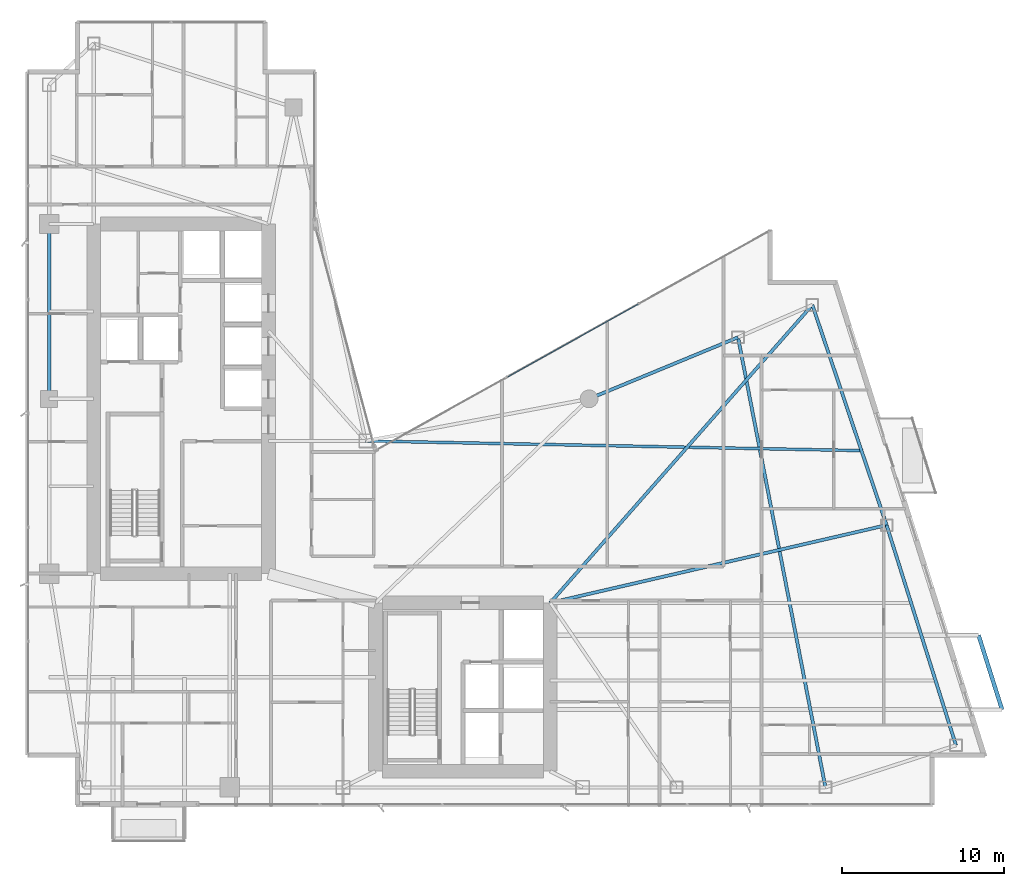
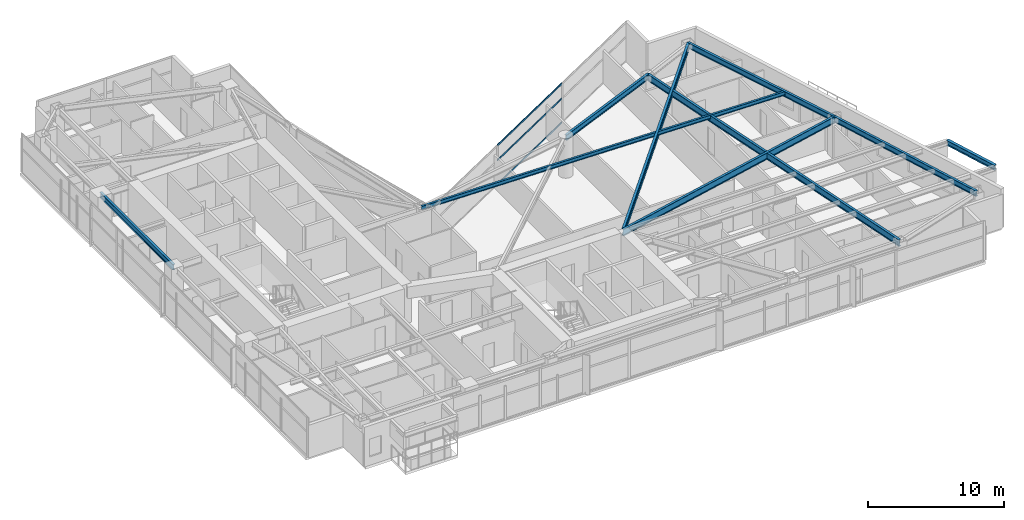
# One storey, part 15 of 29: 9 beams, 3 members, 1 element without a shape of its own.
"""IFC4 building model written with IfcOpenShell, lengths in metres."""

from ifc_helpers import new_model, si_unit, direction, frame, origin, origin_2d, place, context, subcontext, project, spatial, hollow_rectangle, i_section, extrude, material, layer, layer_set, material_profile, profile_set, type_object, element, aggregate, save


model = new_model("IFC4")

# Units and contexts
model_context = context("Model", 3, precision=1e-05, world=origin(), true_north=direction((0.0, 1.0)))
body_context = subcontext(model_context, "Body", "Model", "MODEL_VIEW")
ifc_project = project(units=[si_unit("LENGTHUNIT", "METRE"), si_unit("AREAUNIT", "SQUARE_METRE"), si_unit("VOLUMEUNIT", "CUBIC_METRE"), si_unit("PLANEANGLEUNIT", "RADIAN"), si_unit("MASSUNIT", "GRAM", prefix="KILO")], contexts=[model_context])

# Site, building, storey
site_placement = place(None, origin())
site = spatial("IfcSite", under=ifc_project, at=site_placement, CompositionType="ELEMENT")
building_placement = place(site_placement, origin())
building = spatial("IfcBuilding", under=site, at=building_placement, Name="Calvorn Quay Hotel", CompositionType="ELEMENT")
storey_placement = place(building_placement, frame((0.0, 0.0, 163.699951171875)))
storey = spatial("IfcBuildingStorey", under=building, at=storey_placement, Name="L40", CompositionType="ELEMENT", Elevation=163.699951171875)

# Beams
ifc_material_1 = material(Name="Steel Q355B", Category="steel")
ifc_material_profile_1 = material_profile(ifc_material_1, i_section(OverallWidth=0.25, OverallDepth=0.449951171875, WebThickness=0.011962890625, FlangeThickness=0.01611328125, FilletRadius=0.01611328125, at=origin_2d()), Name="HN450x250x12x16")
ifc_profile_set_1 = profile_set([ifc_material_profile_1], Name="Steel Q355B")
beam_type_1 = type_object("IfcBeamType", Name="BM-CANT-BALC", PredefinedType="BEAM", material=ifc_profile_set_1)
beam_1_placement = place(storey_placement, frame((60.30810546875, 8.39990234375, 3.31494140625), z_axis=(-0.300666214801, 0.953729430854, 0.0), x_axis=(-0.953729430854, -0.300666214801, 0.0)))
element("IfcBeam", 1, at=beam_1_placement, inside=storey, type_object=beam_type_1, Name="Beam BCBO-L41-1", PredefinedType="BEAM", context=body_context, shape_type="SweptSolid", body=[
    extrude(i_section(OverallWidth=0.25, OverallDepth=0.449951171875, WebThickness=0.011962890625, FlangeThickness=0.01611328125, FilletRadius=0.01611328125, at=origin_2d()), origin(), (0.0, 0.0, 1.0), 4.8232421875),
])
ifc_material_2 = material(Name="Steel Q355B", Category="steel")
ifc_material_profile_2 = material_profile(ifc_material_2, i_section(OverallWidth=0.199951171875, OverallDepth=0.60009765625, WebThickness=0.010986328125, FlangeThickness=0.01708984375, FilletRadius=0.01806640625, at=origin_2d()), Name="HN600x200x11x17")
ifc_profile_set_2 = profile_set([ifc_material_profile_2], Name="Steel Q355B")
beam_type_2 = type_object("IfcBeamType", Name="BM-GIRD-TYP", PredefinedType="BEAM", material=ifc_profile_set_2)
beam_2_placement = place(storey_placement, frame((32.39990234375, 15.0, 3.239990234375), z_axis=(0.974334045812, 0.225107012711, 0.0), x_axis=(-0.225107012711, 0.974334045812, 0.0)))
element("IfcBeam", 2, at=beam_2_placement, inside=storey, type_object=beam_type_2, Name="Beam BG-L40-E2", PredefinedType="BEAM", context=body_context, shape_type="SweptSolid", body=[
    extrude(i_section(OverallWidth=0.199951171875, OverallDepth=0.60009765625, WebThickness=0.010986328125, FlangeThickness=0.01708984375, FilletRadius=0.01806640625, at=origin_2d()), origin(), (0.0, 0.0, 1.0), 21.323486328125),
])
beam_3_placement = place(storey_placement, frame((32.39990234375, 15.0, 3.239990234375), z_axis=(0.660610604248, 0.750728732336, 0.0), x_axis=(-0.750728732336, 0.660610604248, 0.0)))
element("IfcBeam", 3, at=beam_3_placement, inside=storey, type_object=beam_type_2, Name="Beam BG-L40-E3", PredefinedType="BEAM", context=body_context, shape_type="SweptSolid", body=[
    extrude(i_section(OverallWidth=0.199951171875, OverallDepth=0.60009765625, WebThickness=0.010986328125, FlangeThickness=0.01708984375, FilletRadius=0.01806640625, at=origin_2d()), origin(), (0.0, 0.0, 1.0), 24.50927734375),
])
beam_4_placement = place(storey_placement, frame((49.39990234375, 3.60009765625, 3.239990234375), z_axis=(-0.190678596862, 0.981652521363, 0.0), x_axis=(-0.981652521363, -0.190678596862, 0.0)))
element("IfcBeam", 4, at=beam_4_placement, inside=storey, type_object=beam_type_2, Name="Beam BG-L40-E5", PredefinedType="BEAM", context=body_context, shape_type="SweptSolid", body=[
    extrude(i_section(OverallWidth=0.199951171875, OverallDepth=0.60009765625, WebThickness=0.010986328125, FlangeThickness=0.01708984375, FilletRadius=0.01806640625, at=origin_2d()), origin(), (0.0, 0.0, 1.0), 28.3193359375),
])
ifc_material_3 = material(Name="Steel Q355B", Category="steel")
ifc_material_profile_3 = material_profile(ifc_material_3, i_section(OverallWidth=0.175048828125, OverallDepth=0.35009765625, WebThickness=0.007080078125, FlangeThickness=0.010986328125, FilletRadius=0.013916015625, at=origin_2d()), Name="HN350x175x7x11")
ifc_profile_set_3 = profile_set([ifc_material_profile_3], Name="Steel Q355B")
beam_type_3 = type_object("IfcBeamType", Name="BM-JOIST-SEC", PredefinedType="JOIST", material=ifc_profile_set_3)
beam_5_placement = place(storey_placement, frame((21.0, 25.0, 3.364990234375), z_axis=(0.999809345134, -0.019526222968, 0.0), x_axis=(0.019526222968, 0.999809345134, 0.0)))
element("IfcBeam", 5, at=beam_5_placement, inside=storey, type_object=beam_type_3, Name="Beam BJ-L40-E3", PredefinedType="JOIST", context=body_context, shape_type="SweptSolid", body=[
    extrude(i_section(OverallWidth=0.175048828125, OverallDepth=0.35009765625, WebThickness=0.007080078125, FlangeThickness=0.010986328125, FilletRadius=0.013916015625, at=origin_2d()), origin(), (0.0, 0.0, 1.0), 30.73291015625),
])
ifc_material_4 = material(Name="Steel Q355B", Category="steel")
ifc_material_profile_4 = material_profile(ifc_material_4, i_section(OverallWidth=0.199951171875, OverallDepth=0.5, WebThickness=0.010009765625, FlangeThickness=0.01611328125, FilletRadius=0.01611328125, at=origin_2d()), Name="HN500x200x10x16")
ifc_profile_set_4 = profile_set([ifc_material_profile_4], Name="Steel Q355B")
beam_type_4 = type_object("IfcBeamType", Name="BM-SPANDREL-Z1", PredefinedType="SPANDREL", material=ifc_profile_set_4)
beam_6_placement = place(storey_placement, frame((1.449951171875, 27.60009765625, 3.2900390625), z_axis=(0.0, 1.0, 0.0), x_axis=(-1.0, 0.0, 0.0)))
element("IfcBeam", 6, at=beam_6_placement, inside=storey, type_object=beam_type_4, Name="Beam BSP-L40-W3", PredefinedType="SPANDREL", context=body_context, shape_type="SweptSolid", body=[
    extrude(i_section(OverallWidth=0.199951171875, OverallDepth=0.5, WebThickness=0.010009765625, FlangeThickness=0.01611328125, FilletRadius=0.01611328125, at=origin_2d()), origin(), (0.0, 0.0, 1.0), 10.7998046875),
])
beam_7_placement = place(storey_placement, frame((57.4609375, 6.199951171875, 3.2900390625), z_axis=(-0.300502802767, 0.953780931624, 0.0), x_axis=(-0.953780931624, -0.300502802767, 0.0)))
element("IfcBeam", 7, at=beam_7_placement, inside=storey, type_object=beam_type_4, Name="Beam BSP-L40-E1", PredefinedType="SPANDREL", context=body_context, shape_type="SweptSolid", body=[
    extrude(i_section(OverallWidth=0.199951171875, OverallDepth=0.5, WebThickness=0.010009765625, FlangeThickness=0.01611328125, FilletRadius=0.01611328125, at=origin_2d()), origin(), (0.0, 0.0, 1.0), 14.259033203125),
])
beam_8_placement = place(storey_placement, frame((53.176025390625, 19.800048828125, 3.2900390625), z_axis=(-0.319466515944, 0.947597564998, 0.0), x_axis=(-0.947597564998, -0.319466515944, 0.0)))
element("IfcBeam", 8, at=beam_8_placement, inside=storey, type_object=beam_type_4, Name="Beam BSP-L40-E2", PredefinedType="SPANDREL", context=body_context, shape_type="SweptSolid", body=[
    extrude(i_section(OverallWidth=0.199951171875, OverallDepth=0.5, WebThickness=0.010009765625, FlangeThickness=0.01611328125, FilletRadius=0.01611328125, at=origin_2d()), origin(), (0.0, 0.0, 1.0), 14.35205078125),
])
beam_9_placement = place(storey_placement, frame((44.0, 31.39990234375, 3.2900390625), z_axis=(-0.92426763497, -0.381745123017, 0.0), x_axis=(0.381745123017, -0.92426763497, 0.0)))
element("IfcBeam", 9, at=beam_9_placement, inside=storey, type_object=beam_type_4, Name="Beam BSP-L40-E4", PredefinedType="SPANDREL", context=body_context, shape_type="SweptSolid", body=[
    extrude(i_section(OverallWidth=0.199951171875, OverallDepth=0.5, WebThickness=0.010009765625, FlangeThickness=0.01611328125, FilletRadius=0.01611328125, at=origin_2d()), origin(), (0.0, 0.0, 1.0), 9.953857421875),
])

# Curtain wall, members
ifc_material_5 = material(Name="Pale Anodised Aluminium and Low-E Glass", Category="aluminium")
ifc_layer = layer(ifc_material_5, 0.219970703125)
ifc_layer_set = layer_set([ifc_layer], Name="CW-SYS-Z2")
curtain_wall_type = type_object("IfcCurtainWallType", Name="CW-SYS-Z2", PredefinedType="NOTDEFINED", material=ifc_layer_set)
curtain_wall_placement = place(storey_placement, origin())
curtain_wall = element("IfcCurtainWall", 10, at=curtain_wall_placement, inside=storey, type_object=curtain_wall_type, Name="Inner Court Curtain Wall L40-NE1", PredefinedType="NOTDEFINED")
ifc_material_6 = material(Name="Pale Anodised Aluminium 6063-T6", Category="aluminium")
ifc_material_profile_5 = material_profile(ifc_material_6, hollow_rectangle(XDim=0.06005859375, YDim=0.14990234375, WallThickness=0.00341796875, at=origin_2d()), Name="ALU-T150x60x3.5")
ifc_profile_set_5 = profile_set([ifc_material_profile_5], Name="Pale Anodised Aluminium 6063-T6")
member_type = type_object("IfcMemberType", Name="CW-SYS-Z2-TRN", PredefinedType="USERDEFINED", material=ifc_profile_set_5)
member_1_placement = place(storey_placement, frame((37.840576171875, 33.4521484375, 0.030029296875), z_axis=(-0.873483012802, -0.486854625474, 0.0), x_axis=(0.486854625474, -0.873483012802, 0.0)))
member_1 = element("IfcMember", 11, at=member_1_placement, type_object=member_type, Name="CW-L40-NE1 transom 2.1", ObjectType="TRANSOM", PredefinedType="USERDEFINED", context=body_context, shape_type="SweptSolid", body=[
    extrude(hollow_rectangle(XDim=0.06005859375, YDim=0.14990234375, WallThickness=0.00341796875, at=origin_2d()), origin(), (0.0, 0.0, 1.0), 9.25146484375),
])
member_2_placement = place(storey_placement, frame((37.840576171875, 33.4521484375, 2.199951171875), z_axis=(-0.873483012802, -0.486854625474, 0.0), x_axis=(0.486854625474, -0.873483012802, 0.0)))
member_2 = element("IfcMember", 12, at=member_2_placement, type_object=member_type, Name="CW-L40-NE1 transom 2.2", ObjectType="TRANSOM", PredefinedType="USERDEFINED", context=body_context, shape_type="SweptSolid", body=[
    extrude(hollow_rectangle(XDim=0.06005859375, YDim=0.14990234375, WallThickness=0.00341796875, at=origin_2d()), origin(), (0.0, 0.0, 1.0), 9.25146484375),
])
member_3_placement = place(storey_placement, frame((37.840576171875, 33.4521484375, 3.530029296875), z_axis=(-0.873483012802, -0.486854625474, 0.0), x_axis=(0.486854625474, -0.873483012802, 0.0)))
member_3 = element("IfcMember", 13, at=member_3_placement, type_object=member_type, Name="CW-L40-NE1 transom 2.3", ObjectType="TRANSOM", PredefinedType="USERDEFINED", context=body_context, shape_type="SweptSolid", body=[
    extrude(hollow_rectangle(XDim=0.06005859375, YDim=0.14990234375, WallThickness=0.00341796875, at=origin_2d()), origin(), (0.0, 0.0, 1.0), 9.25146484375),
])
aggregate(curtain_wall, [member_1, member_2, member_3])

save(model, "model.ifc")
